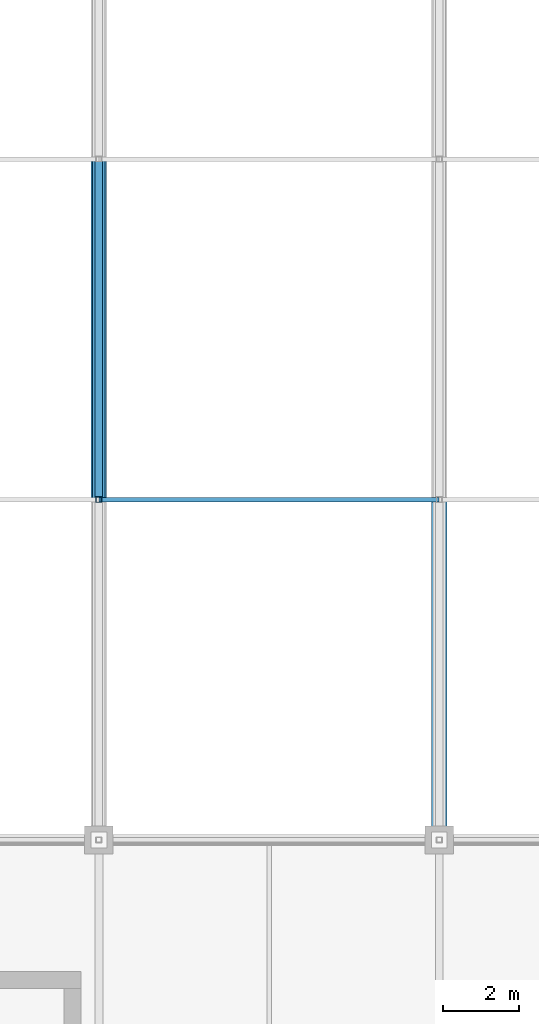
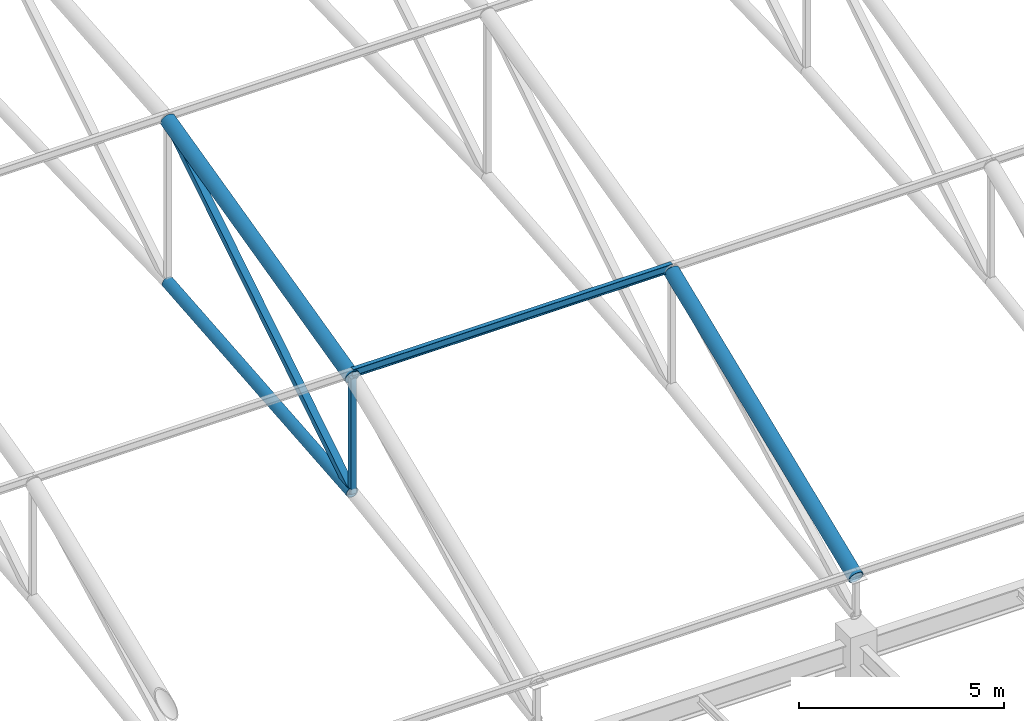
# One storey, part 84 of 223: 6 members.
"""IFC4 building model written with IfcOpenShell, lengths in metres."""

from ifc_helpers import new_model, si_unit, direction, frame, origin, origin_2d, place, context, subcontext, project, spatial, hollow_rectangle, hollow_circle, i_section, extrude, material, material_profile, profile_set, type_object, element, save


model = new_model("IFC4")

# Units and contexts
model_context = context("Model", 3, precision=1e-05, world=origin(), true_north=direction((0.0, 1.0)))
body_context = subcontext(model_context, "Body", "Model", "MODEL_VIEW")
ifc_project = project(units=[si_unit("LENGTHUNIT", "METRE"), si_unit("AREAUNIT", "SQUARE_METRE"), si_unit("VOLUMEUNIT", "CUBIC_METRE"), si_unit("PLANEANGLEUNIT", "RADIAN"), si_unit("MASSUNIT", "GRAM", prefix="KILO")], contexts=[model_context])

# Site, building, storey
site_placement = place(None, origin())
site = spatial("IfcSite", under=ifc_project, at=site_placement, CompositionType="ELEMENT")
building_placement = place(site_placement, origin())
building = spatial("IfcBuilding", under=site, at=building_placement, Name="Dornveld Trade and Exhibition Forum", CompositionType="ELEMENT")
storey_placement = place(building_placement, frame((0.0, 0.0, 6.0)))
storey = spatial("IfcBuildingStorey", under=building, at=storey_placement, Name="L01", CompositionType="ELEMENT", Elevation=6.0)

# Members
ifc_material_1 = material(Name="Steel S355J2", Category="steel")
ifc_material_profile_1 = material_profile(ifc_material_1, hollow_circle(Radius=0.161865234375, WallThickness=0.01611328125, at=origin_2d()), Name="CHS 323.9x16")
ifc_profile_set_1 = profile_set([ifc_material_profile_1], Name="Steel S355J2")
member_type_1 = type_object("IfcMemberType", Name="MEM-ARCH-BC", PredefinedType="CHORD", material=ifc_profile_set_1)
member_1_placement = place(storey_placement, frame((135.0, 117.0, 7.683349609375), z_axis=(0.0, 0.996072164085, 0.088545151956), x_axis=(-1.0, 0.0, 0.0)))
element("IfcMember", 1, at=member_1_placement, inside=storey, type_object=member_type_1, Name="H1 truss 5 tie chord 2", PredefinedType="CHORD", context=body_context, shape_type="SweptSolid", body=[
    extrude(hollow_circle(Radius=0.161865234375, WallThickness=0.01611328125, at=origin_2d()), origin(), (0.0, 0.0, 1.0), 9.035400390625),
])
ifc_material_2 = material(Name="Steel S355J2", Category="steel")
ifc_material_profile_2 = material_profile(ifc_material_2, hollow_rectangle(XDim=0.14990234375, YDim=0.14990234375, WallThickness=0.008056640625, at=origin_2d()), Name="SHS 150x150x8")
ifc_profile_set_2 = profile_set([ifc_material_profile_2], Name="Steel S355J2")
member_type_2 = type_object("IfcMemberType", Name="MEM-ARCH-STR", PredefinedType="STRUT", material=ifc_profile_set_2)
member_2_placement = place(storey_placement, frame((135.0, 117.0, 7.683349609375), z_axis=(0.0, 0.0, 1.0), x_axis=(1.0, 0.0, 0.0)))
element("IfcMember", 2, at=member_2_placement, inside=storey, type_object=member_type_2, Name="H1 truss 5 strut 2", PredefinedType="STRUT", context=body_context, shape_type="SweptSolid", body=[
    extrude(hollow_rectangle(XDim=0.14990234375, YDim=0.14990234375, WallThickness=0.008056640625, at=origin_2d()), origin(), (0.0, 0.0, 1.0), 3.433349609375),
])
ifc_material_3 = material(Name="Steel S355J2", Category="steel")
ifc_material_profile_3 = material_profile(ifc_material_3, hollow_circle(Radius=0.203125, WallThickness=0.02001953125, at=origin_2d()), Name="CHS 406.4x20")
ifc_profile_set_3 = profile_set([ifc_material_profile_3], Name="Steel S355J2")
member_type_3 = type_object("IfcMemberType", Name="MEM-ARCH-TC", PredefinedType="CHORD", material=ifc_profile_set_3)
member_3_placement = place(storey_placement, frame((135.0, 117.0, 11.11669921875), z_axis=(0.0, 0.971400222114, 0.237448117444), x_axis=(-1.0, 0.0, 0.0)))
element("IfcMember", 3, at=member_3_placement, inside=storey, type_object=member_type_3, Name="H1 truss 5 top chord 2", PredefinedType="CHORD", context=body_context, shape_type="SweptSolid", body=[
    extrude(hollow_circle(Radius=0.203125, WallThickness=0.02001953125, at=origin_2d()), origin(), (0.0, 0.0, 1.0), 9.264892578125),
])
member_4_placement = place(storey_placement, frame((144.0, 108.0, 7.449951171875), z_axis=(0.0, 0.926089433793, 0.377304069177), x_axis=(-1.0, 0.0, 0.0)))
element("IfcMember", 4, at=member_4_placement, inside=storey, type_object=member_type_3, Name="H1 truss 6 top chord 1", PredefinedType="CHORD", context=body_context, shape_type="SweptSolid", body=[
    extrude(hollow_circle(Radius=0.203125, WallThickness=0.02001953125, at=origin_2d()), origin(), (0.0, 0.0, 1.0), 9.71826171875),
])
ifc_material_4 = material(Name="Steel S355J2", Category="steel")
ifc_material_profile_4 = material_profile(ifc_material_4, hollow_rectangle(XDim=0.199951171875, YDim=0.199951171875, WallThickness=0.010009765625, at=origin_2d()), Name="SHS 200x200x10")
ifc_profile_set_4 = profile_set([ifc_material_profile_4], Name="Steel S355J2")
member_type_4 = type_object("IfcMemberType", Name="MEM-ARCH-WEB", PredefinedType="BRACE", material=ifc_profile_set_4)
member_5_placement = place(storey_placement, frame((135.0, 117.0, 7.683349609375), z_axis=(0.0, 0.847646750348, 0.530561011218), x_axis=(-1.0, 0.0, 0.0)))
element("IfcMember", 5, at=member_5_placement, inside=storey, type_object=member_type_4, Name="H1 truss 5 web 2", PredefinedType="BRACE", context=body_context, shape_type="SweptSolid", body=[
    extrude(hollow_rectangle(XDim=0.199951171875, YDim=0.199951171875, WallThickness=0.010009765625, at=origin_2d()), origin(), (0.0, 0.0, 1.0), 10.61767578125),
])
ifc_material_5 = material(Name="Steel S355J2", Category="steel")
ifc_material_profile_5 = material_profile(ifc_material_5, i_section(OverallWidth=0.1201171875, OverallDepth=0.239990234375, WebThickness=0.006103515625, FlangeThickness=0.009765625, FilletRadius=0.014892578125, at=origin_2d()), Name="IPE 240")
ifc_profile_set_5 = profile_set([ifc_material_profile_5], Name="Steel S355J2")
member_type_5 = type_object("IfcMemberType", Name="MEM-PURLIN-240", PredefinedType="PURLIN", material=ifc_profile_set_5)
member_6_placement = place(storey_placement, frame((135.0, 117.0, 11.248779296875), z_axis=(1.0, 0.0, 0.0), x_axis=(0.0, 1.0, 0.0)))
element("IfcMember", 6, at=member_6_placement, inside=storey, type_object=member_type_5, Name="H1 bay 5 roof purlin 2", PredefinedType="PURLIN", context=body_context, shape_type="SweptSolid", body=[
    extrude(i_section(OverallWidth=0.1201171875, OverallDepth=0.239990234375, WebThickness=0.006103515625, FlangeThickness=0.009765625, FilletRadius=0.014892578125, at=origin_2d()), origin(), (0.0, 0.0, 1.0), 9.0),
])

save(model, "model.ifc")
